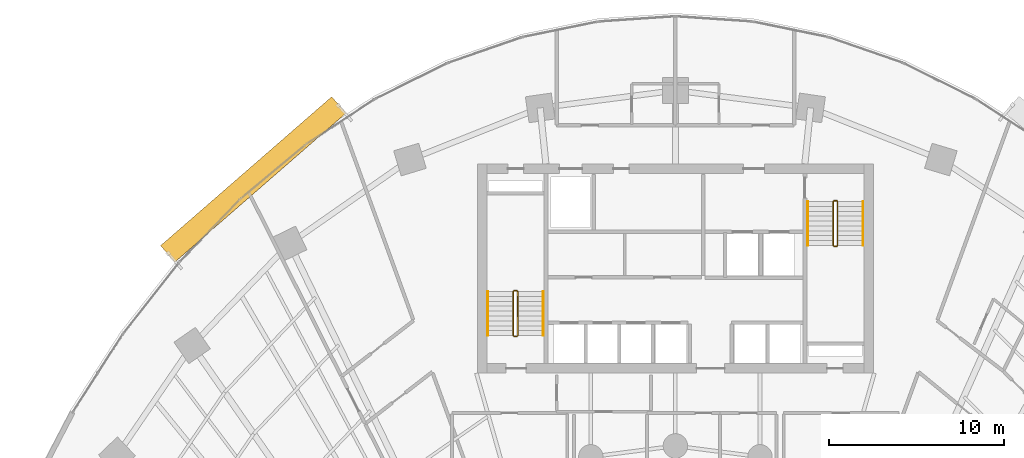
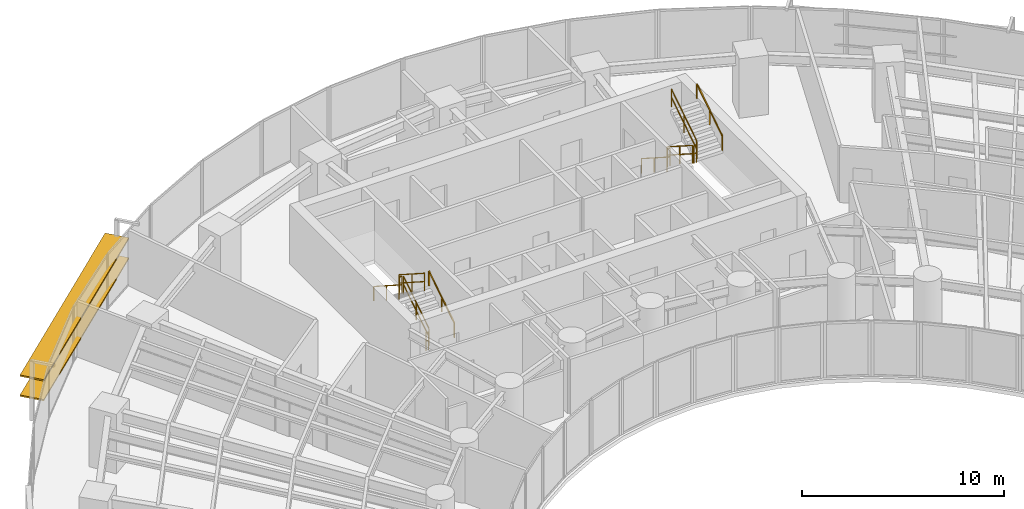
# One storey, part 16 of 17: 12 railings, 2 shading devices.
"""IFC4 building model written with IfcOpenShell, lengths in metres."""

from ifc_helpers import new_model, si_unit, direction, frame, origin, origin_2d, place, context, subcontext, project, spatial, rectangle, extrude, source, transform, mapped, material, material_profile, profile_set, type_object, type_shapes, element, save


model = new_model("IFC4")

# Units and contexts
model_context = context("Model", 3, precision=1e-05, world=origin(), true_north=direction((0.0, 1.0)))
body_context = subcontext(model_context, "Body", "Model", "MODEL_VIEW")
ifc_project = project(units=[si_unit("LENGTHUNIT", "METRE"), si_unit("AREAUNIT", "SQUARE_METRE"), si_unit("VOLUMEUNIT", "CUBIC_METRE"), si_unit("PLANEANGLEUNIT", "RADIAN"), si_unit("MASSUNIT", "GRAM", prefix="KILO")], contexts=[model_context])

# Site, building, storey
site_placement = place(None, origin())
site = spatial("IfcSite", under=ifc_project, at=site_placement, CompositionType="ELEMENT")
building_placement = place(site_placement, origin())
building = spatial("IfcBuilding", under=site, at=building_placement, Name="Breltana Convention Tower", CompositionType="ELEMENT")
storey_placement = place(building_placement, frame((0.0, 0.0, 57.0)))
storey = spatial("IfcBuildingStorey", under=building, at=storey_placement, Name="L12", CompositionType="ELEMENT", Elevation=57.0)

# Railings
ifc_material_1 = material(Name="Steel S275 Painted", Category="steel")
railing_type_1 = type_object("IfcRailingType", Name="RL-STAIR-GUARD-1100", PredefinedType="GUARDRAIL", material=ifc_material_1)
railing_1_placement = place(storey_placement, frame((38.9599609375, 62.360107421875, 0.179931640625)))
element("IfcRailing", 1, at=railing_1_placement, inside=storey, type_object=railing_type_1, Name="L12 ST-1 stair guard 1", PredefinedType="GUARDRAIL", context=body_context, shape_type="SweptSolid", body=[
    extrude(rectangle(XDim=0.048095703125, YDim=0.048095703125, at=origin_2d()), frame((0.0, 0.0, 1.076171875), z_axis=(0.0, 0.841138753965, 0.540819375188), x_axis=(-1.0, 0.0, 0.0)), (0.0, 0.0, 1.0), 2.99560546875),
    extrude(rectangle(XDim=0.048095703125, YDim=0.048095703125, at=origin_2d()), frame((0.0, 0.0, 0.572021484375), z_axis=(0.0, 0.841138753965, 0.540819375188), x_axis=(-1.0, 0.0, 0.0)), (0.0, 0.0, 1.0), 2.99560546875),
    extrude(rectangle(XDim=0.0419921875, YDim=0.0419921875, at=origin_2d()), origin(), (0.0, 0.0, 1.0), 1.052001953125),
    extrude(rectangle(XDim=0.0419921875, YDim=0.0419921875, at=origin_2d()), frame((0.0, 1.259765625, 0.81005859375)), (0.0, 0.0, 1.0), 1.052001953125),
    extrude(rectangle(XDim=0.0419921875, YDim=0.0419921875, at=origin_2d()), frame((0.0, 2.519775390625, 1.6201171875)), (0.0, 0.0, 1.0), 1.052001953125),
])
railing_2_placement = place(storey_placement, frame((38.909912109375, 64.929931640625, 1.800048828125)))
element("IfcRailing", 2, at=railing_2_placement, inside=storey, type_object=railing_type_1, Name="L12 ST-1 stair guard 2", PredefinedType="GUARDRAIL", context=body_context, shape_type="SweptSolid", body=[
    extrude(rectangle(XDim=0.048095703125, YDim=0.048095703125, at=origin_2d()), frame((0.0, 0.0, 1.076171875), z_axis=(-1.0, 0.0, 0.0), x_axis=(0.0, -1.0, 0.0)), (0.0, 0.0, 1.0), 0.14990234375),
    extrude(rectangle(XDim=0.048095703125, YDim=0.048095703125, at=origin_2d()), frame((0.0, 0.0, 0.572021484375), z_axis=(-1.0, 0.0, 0.0), x_axis=(0.0, -1.0, 0.0)), (0.0, 0.0, 1.0), 0.14990234375),
    extrude(rectangle(XDim=0.0419921875, YDim=0.0419921875, at=origin_2d()), origin(), (0.0, 0.0, 1.0), 1.052001953125),
    extrude(rectangle(XDim=0.0419921875, YDim=0.0419921875, at=origin_2d()), frame((-0.14990234375, 0.0, 0.0)), (0.0, 0.0, 1.0), 1.052001953125),
])
railing_3_placement = place(storey_placement, frame((38.7099609375, 64.8798828125, 1.97998046875)))
element("IfcRailing", 3, at=railing_3_placement, inside=storey, type_object=railing_type_1, Name="L12 ST-1 stair guard 3", PredefinedType="GUARDRAIL", context=body_context, shape_type="SweptSolid", body=[
    extrude(rectangle(XDim=0.048095703125, YDim=0.048095703125, at=origin_2d()), frame((0.0, 0.0, 1.076171875), z_axis=(0.0, -0.841138753965, 0.540819375188), x_axis=(1.0, 0.0, 0.0)), (0.0, 0.0, 1.0), 2.99560546875),
    extrude(rectangle(XDim=0.048095703125, YDim=0.048095703125, at=origin_2d()), frame((0.0, 0.0, 0.572021484375), z_axis=(0.0, -0.841138753965, 0.540819375188), x_axis=(1.0, 0.0, 0.0)), (0.0, 0.0, 1.0), 2.99560546875),
    extrude(rectangle(XDim=0.0419921875, YDim=0.0419921875, at=origin_2d()), origin(), (0.0, 0.0, 1.0), 1.052001953125),
    extrude(rectangle(XDim=0.0419921875, YDim=0.0419921875, at=origin_2d()), frame((0.0, -1.259765625, 0.81005859375)), (0.0, 0.0, 1.0), 1.052001953125),
    extrude(rectangle(XDim=0.0419921875, YDim=0.0419921875, at=origin_2d()), frame((0.0, -2.519775390625, 1.6201171875)), (0.0, 0.0, 1.0), 1.052001953125),
])
railing_4_placement = place(storey_placement, frame((38.909912109375, 62.31005859375, 0.0)))
element("IfcRailing", 4, at=railing_4_placement, inside=storey, type_object=railing_type_1, Name="L12 ST-1 stair guard 4", PredefinedType="GUARDRAIL", context=body_context, shape_type="SweptSolid", body=[
    extrude(rectangle(XDim=0.048095703125, YDim=0.048095703125, at=origin_2d()), frame((0.0, 0.0, 1.076171875), z_axis=(-1.0, 0.0, 0.0), x_axis=(0.0, -1.0, 0.0)), (0.0, 0.0, 1.0), 0.14990234375),
    extrude(rectangle(XDim=0.048095703125, YDim=0.048095703125, at=origin_2d()), frame((0.0, 0.0, 0.572021484375), z_axis=(-1.0, 0.0, 0.0), x_axis=(0.0, -1.0, 0.0)), (0.0, 0.0, 1.0), 0.14990234375),
    extrude(rectangle(XDim=0.0419921875, YDim=0.0419921875, at=origin_2d()), origin(), (0.0, 0.0, 1.0), 1.052001953125),
    extrude(rectangle(XDim=0.0419921875, YDim=0.0419921875, at=origin_2d()), frame((-0.14990234375, 0.0, 0.0)), (0.0, 0.0, 1.0), 1.052001953125),
])
railing_5_placement = place(storey_placement, frame((57.0400390625, 70.0400390625, 0.179931640625)))
element("IfcRailing", 5, at=railing_5_placement, inside=storey, type_object=railing_type_1, Name="L12 ST-2 stair guard 1", PredefinedType="GUARDRAIL", context=body_context, shape_type="SweptSolid", body=[
    extrude(rectangle(XDim=0.048095703125, YDim=0.048095703125, at=origin_2d()), frame((0.0, 0.0, 1.076171875), z_axis=(0.0, -0.841162588446, 0.540782303519), x_axis=(1.0, 0.0, 0.0)), (0.0, 0.0, 1.0), 2.995849609375),
    extrude(rectangle(XDim=0.048095703125, YDim=0.048095703125, at=origin_2d()), frame((0.0, 0.0, 0.572021484375), z_axis=(0.0, -0.841162588446, 0.540782303519), x_axis=(1.0, 0.0, 0.0)), (0.0, 0.0, 1.0), 2.995849609375),
    extrude(rectangle(XDim=0.0419921875, YDim=0.0419921875, at=origin_2d()), origin(), (0.0, 0.0, 1.0), 1.052001953125),
    extrude(rectangle(XDim=0.0419921875, YDim=0.0419921875, at=origin_2d()), frame((0.0, -1.260009765625, 0.81005859375)), (0.0, 0.0, 1.0), 1.052001953125),
    extrude(rectangle(XDim=0.0419921875, YDim=0.0419921875, at=origin_2d()), frame((0.0, -2.52001953125, 1.6201171875)), (0.0, 0.0, 1.0), 1.052001953125),
])
railing_6_placement = place(storey_placement, frame((57.090087890625, 67.469970703125, 1.800048828125)))
element("IfcRailing", 6, at=railing_6_placement, inside=storey, type_object=railing_type_1, Name="L12 ST-2 stair guard 2", PredefinedType="GUARDRAIL", context=body_context, shape_type="SweptSolid", body=[
    extrude(rectangle(XDim=0.048095703125, YDim=0.048095703125, at=origin_2d()), frame((0.0, 0.0, 1.076171875), z_axis=(1.0, 0.0, 0.0), x_axis=(0.0, 1.0, 0.0)), (0.0, 0.0, 1.0), 0.14990234375),
    extrude(rectangle(XDim=0.048095703125, YDim=0.048095703125, at=origin_2d()), frame((0.0, 0.0, 0.572021484375), z_axis=(1.0, 0.0, 0.0), x_axis=(0.0, 1.0, 0.0)), (0.0, 0.0, 1.0), 0.14990234375),
    extrude(rectangle(XDim=0.0419921875, YDim=0.0419921875, at=origin_2d()), origin(), (0.0, 0.0, 1.0), 1.052001953125),
    extrude(rectangle(XDim=0.0419921875, YDim=0.0419921875, at=origin_2d()), frame((0.14990234375, 0.0, 0.0)), (0.0, 0.0, 1.0), 1.052001953125),
])
railing_7_placement = place(storey_placement, frame((57.2900390625, 67.52001953125, 1.97998046875)))
element("IfcRailing", 7, at=railing_7_placement, inside=storey, type_object=railing_type_1, Name="L12 ST-2 stair guard 3", PredefinedType="GUARDRAIL", context=body_context, shape_type="SweptSolid", body=[
    extrude(rectangle(XDim=0.048095703125, YDim=0.048095703125, at=origin_2d()), frame((0.0, 0.0, 1.076171875), z_axis=(0.0, 0.841162588446, 0.540782303519), x_axis=(-1.0, 0.0, 0.0)), (0.0, 0.0, 1.0), 2.995849609375),
    extrude(rectangle(XDim=0.048095703125, YDim=0.048095703125, at=origin_2d()), frame((0.0, 0.0, 0.572021484375), z_axis=(0.0, 0.841162588446, 0.540782303519), x_axis=(-1.0, 0.0, 0.0)), (0.0, 0.0, 1.0), 2.995849609375),
    extrude(rectangle(XDim=0.0419921875, YDim=0.0419921875, at=origin_2d()), origin(), (0.0, 0.0, 1.0), 1.052001953125),
    extrude(rectangle(XDim=0.0419921875, YDim=0.0419921875, at=origin_2d()), frame((0.0, 1.260009765625, 0.81005859375)), (0.0, 0.0, 1.0), 1.052001953125),
    extrude(rectangle(XDim=0.0419921875, YDim=0.0419921875, at=origin_2d()), frame((0.0, 2.52001953125, 1.6201171875)), (0.0, 0.0, 1.0), 1.052001953125),
])
railing_8_placement = place(storey_placement, frame((57.090087890625, 70.090087890625, 0.0)))
element("IfcRailing", 8, at=railing_8_placement, inside=storey, type_object=railing_type_1, Name="L12 ST-2 stair guard 4", PredefinedType="GUARDRAIL", context=body_context, shape_type="SweptSolid", body=[
    extrude(rectangle(XDim=0.048095703125, YDim=0.048095703125, at=origin_2d()), frame((0.0, 0.0, 1.076171875), z_axis=(1.0, 0.0, 0.0), x_axis=(0.0, 1.0, 0.0)), (0.0, 0.0, 1.0), 0.14990234375),
    extrude(rectangle(XDim=0.048095703125, YDim=0.048095703125, at=origin_2d()), frame((0.0, 0.0, 0.572021484375), z_axis=(1.0, 0.0, 0.0), x_axis=(0.0, 1.0, 0.0)), (0.0, 0.0, 1.0), 0.14990234375),
    extrude(rectangle(XDim=0.0419921875, YDim=0.0419921875, at=origin_2d()), origin(), (0.0, 0.0, 1.0), 1.052001953125),
    extrude(rectangle(XDim=0.0419921875, YDim=0.0419921875, at=origin_2d()), frame((0.14990234375, 0.0, 0.0)), (0.0, 0.0, 1.0), 1.052001953125),
])
ifc_material_2 = material(Name="Stainless Steel 316L", Category="steel")
railing_type_2 = type_object("IfcRailingType", Name="RL-STAIR-HANDRAIL-900", PredefinedType="HANDRAIL", material=ifc_material_2)
railing_9_placement = place(storey_placement, frame((40.419921875, 62.360107421875, 0.179931640625)))
element("IfcRailing", 9, at=railing_9_placement, inside=storey, type_object=railing_type_2, Name="L12 ST-1 stair handrail 1", PredefinedType="HANDRAIL", context=body_context, shape_type="SweptSolid", body=[
    extrude(rectangle(XDim=0.048095703125, YDim=0.048095703125, at=origin_2d()), frame((0.0, 0.0, 0.8759765625), z_axis=(0.0, 0.841138753965, 0.540819375188), x_axis=(-1.0, 0.0, 0.0)), (0.0, 0.0, 1.0), 2.99560546875),
    extrude(rectangle(XDim=0.0419921875, YDim=0.0419921875, at=origin_2d()), origin(), (0.0, 0.0, 1.0), 0.851806640625),
    extrude(rectangle(XDim=0.0419921875, YDim=0.0419921875, at=origin_2d()), frame((0.0, 1.259765625, 0.81005859375)), (0.0, 0.0, 1.0), 0.851806640625),
    extrude(rectangle(XDim=0.0419921875, YDim=0.0419921875, at=origin_2d()), frame((0.0, 2.519775390625, 1.6201171875)), (0.0, 0.0, 1.0), 0.851806640625),
])
railing_10_placement = place(storey_placement, frame((37.25, 64.8798828125, 1.97998046875)))
element("IfcRailing", 10, at=railing_10_placement, inside=storey, type_object=railing_type_2, Name="L12 ST-1 stair handrail 2", PredefinedType="HANDRAIL", context=body_context, shape_type="SweptSolid", body=[
    extrude(rectangle(XDim=0.048095703125, YDim=0.048095703125, at=origin_2d()), frame((0.0, 0.0, 0.8759765625), z_axis=(0.0, -0.841138753965, 0.540819375188), x_axis=(1.0, 0.0, 0.0)), (0.0, 0.0, 1.0), 2.99560546875),
    extrude(rectangle(XDim=0.0419921875, YDim=0.0419921875, at=origin_2d()), origin(), (0.0, 0.0, 1.0), 0.851806640625),
    extrude(rectangle(XDim=0.0419921875, YDim=0.0419921875, at=origin_2d()), frame((0.0, -1.259765625, 0.81005859375)), (0.0, 0.0, 1.0), 0.851806640625),
    extrude(rectangle(XDim=0.0419921875, YDim=0.0419921875, at=origin_2d()), frame((0.0, -2.519775390625, 1.6201171875)), (0.0, 0.0, 1.0), 0.851806640625),
])
railing_11_placement = place(storey_placement, frame((55.580078125, 70.0400390625, 0.179931640625)))
element("IfcRailing", 11, at=railing_11_placement, inside=storey, type_object=railing_type_2, Name="L12 ST-2 stair handrail 1", PredefinedType="HANDRAIL", context=body_context, shape_type="SweptSolid", body=[
    extrude(rectangle(XDim=0.048095703125, YDim=0.048095703125, at=origin_2d()), frame((0.0, 0.0, 0.8759765625), z_axis=(0.0, -0.841162588446, 0.540782303519), x_axis=(1.0, 0.0, 0.0)), (0.0, 0.0, 1.0), 2.995849609375),
    extrude(rectangle(XDim=0.0419921875, YDim=0.0419921875, at=origin_2d()), origin(), (0.0, 0.0, 1.0), 0.851806640625),
    extrude(rectangle(XDim=0.0419921875, YDim=0.0419921875, at=origin_2d()), frame((0.0, -1.260009765625, 0.81005859375)), (0.0, 0.0, 1.0), 0.851806640625),
    extrude(rectangle(XDim=0.0419921875, YDim=0.0419921875, at=origin_2d()), frame((0.0, -2.52001953125, 1.6201171875)), (0.0, 0.0, 1.0), 0.851806640625),
])
railing_12_placement = place(storey_placement, frame((58.75, 67.52001953125, 1.97998046875)))
element("IfcRailing", 12, at=railing_12_placement, inside=storey, type_object=railing_type_2, Name="L12 ST-2 stair handrail 2", PredefinedType="HANDRAIL", context=body_context, shape_type="SweptSolid", body=[
    extrude(rectangle(XDim=0.048095703125, YDim=0.048095703125, at=origin_2d()), frame((0.0, 0.0, 0.8759765625), z_axis=(0.0, 0.841162588446, 0.540782303519), x_axis=(-1.0, 0.0, 0.0)), (0.0, 0.0, 1.0), 2.995849609375),
    extrude(rectangle(XDim=0.0419921875, YDim=0.0419921875, at=origin_2d()), origin(), (0.0, 0.0, 1.0), 0.851806640625),
    extrude(rectangle(XDim=0.0419921875, YDim=0.0419921875, at=origin_2d()), frame((0.0, 1.260009765625, 0.81005859375)), (0.0, 0.0, 1.0), 0.851806640625),
    extrude(rectangle(XDim=0.0419921875, YDim=0.0419921875, at=origin_2d()), frame((0.0, 2.52001953125, 1.6201171875)), (0.0, 0.0, 1.0), 0.851806640625),
])

# Shading devices
ifc_material_3 = material(Name="Limestone Warm Buff Honed", Category="masonry")
ifc_material_profile = material_profile(ifc_material_3, rectangle(XDim=1.25, YDim=0.090087890625, at=origin_2d()), Name="STN-LVR-1250X90")
ifc_profile_set = profile_set([ifc_material_profile], Name="Limestone Warm Buff Honed")
shading_device_type = type_object("IfcShadingDeviceType", Name="SHD-OUTER-SKIN-LIMESTONE-1250", PredefinedType="JALOUSIE", material=ifc_profile_set)
shared_shape = source(origin(), body_context, "Body", "SweptSolid", [
    extrude(rectangle(XDim=1.25, YDim=0.090087890625, at=origin_2d()), origin(), (0.0, 0.0, 1.0), 12.99462890625),
])
type_shapes(shading_device_type, [shared_shape])
for number, where, z_axis, x_axis, name in (
    (13, (18.9130859375, 67.039794921875, 1.209716796875), (0.754353477941, 0.656468453407, 0.0), (-0.656468453407, 0.754353477941, 0.0), "L12 outer skin warm limestone louvre 1.1"),
    (14, (18.9130859375, 67.039794921875, 2.419189453125), (0.754353477941, 0.656468453407, 0.0), (-0.656468453407, 0.754353477941, 0.0), "L12 outer skin warm limestone louvre 1.2"),
):
    element("IfcShadingDevice", number, at=place(storey_placement, frame(where, z_axis=z_axis, x_axis=x_axis)), inside=storey, type_object=shading_device_type, Name=name, PredefinedType="JALOUSIE", context=body_context, shape_type="MappedRepresentation", body=[
        mapped(shared_shape, transform((0.0, 0.0, 0.0), scale=1.0)),
    ])

save(model, "model.ifc")
